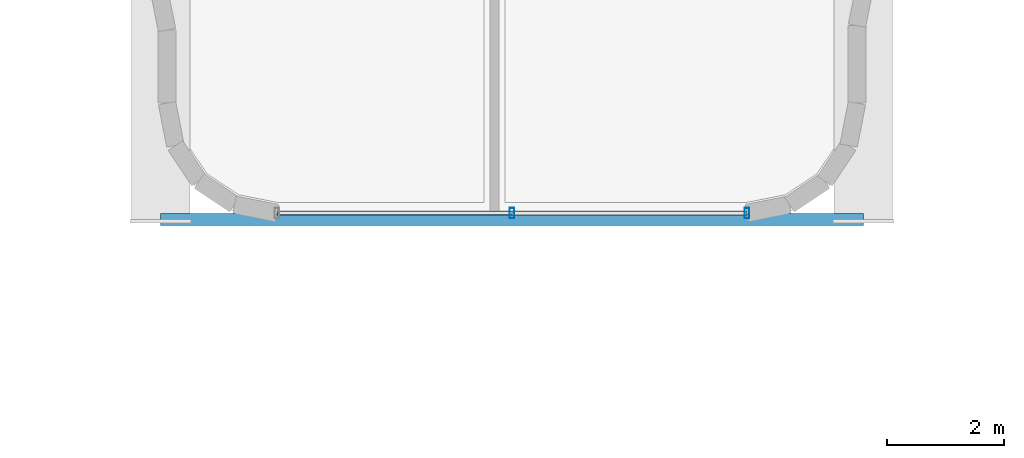
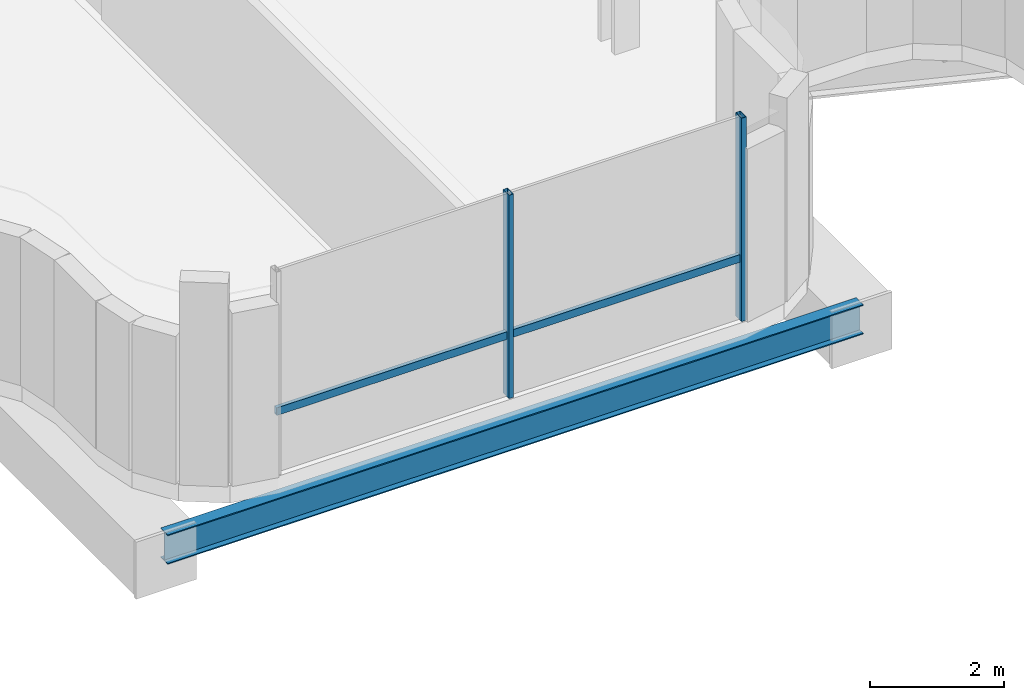
# One storey, part 11 of 35: 3 members, 1 beam, 1 element without a shape of its own.
"""IFC4 building model written with IfcOpenShell, lengths in metres."""

from ifc_helpers import new_model, si_unit, direction, frame, origin, origin_2d, place, context, subcontext, project, spatial, hollow_rectangle, i_section, extrude, source, transform, mapped, material, material_profile, profile_set, type_object, element, aggregate, save


model = new_model("IFC4")

# Units and contexts
model_context = context("Model", 3, precision=1e-05, world=origin(), true_north=direction((0.0, 1.0)))
body_context = subcontext(model_context, "Body", "Model", "MODEL_VIEW")
ifc_project = project(units=[si_unit("LENGTHUNIT", "METRE"), si_unit("AREAUNIT", "SQUARE_METRE"), si_unit("VOLUMEUNIT", "CUBIC_METRE"), si_unit("PLANEANGLEUNIT", "RADIAN"), si_unit("MASSUNIT", "GRAM", prefix="KILO")], contexts=[model_context])

# Site, building, storey
site_placement = place(None, origin())
site = spatial("IfcSite", under=ifc_project, at=site_placement, CompositionType="ELEMENT")
building_placement = place(site_placement, origin())
building = spatial("IfcBuilding", under=site, at=building_placement, Name="Valdorenza Pilgrim Sanctuary Tower", CompositionType="ELEMENT")
storey_placement = place(building_placement, frame((0.0, 0.0, 192.35009765625)))
storey = spatial("IfcBuildingStorey", under=building, at=storey_placement, Name="L49", CompositionType="ELEMENT", Elevation=192.35009765625)

# Beam
ifc_material_1 = material(Name="Steel ASTM A992 Grade 50", Category="steel")
ifc_material_profile_1 = material_profile(ifc_material_1, i_section(OverallWidth=0.2109375, OverallDepth=0.5390625, WebThickness=0.01171875, FlangeThickness=0.018798828125, at=origin_2d()), Name="W21X73")
ifc_profile_set_1 = profile_set([ifc_material_profile_1], Name="Steel ASTM A992 Grade 50")
beam_type = type_object("IfcBeamType", Name="STR-BM-SPN-W21B", PredefinedType="SPANDREL", material=ifc_profile_set_1)
shared_shape_1 = source(origin(), body_context, "Body", "SweptSolid", [
    extrude(i_section(OverallWidth=0.2109375, OverallDepth=0.5390625, WebThickness=0.01171875, FlangeThickness=0.018798828125, at=origin_2d()), origin(), (0.0, 0.0, 1.0), 12.0),
])
beam_placement = place(storey_placement, frame((-3.5, -7.199951171875, -0.589599609375), z_axis=(1.0, 0.0, 0.0), x_axis=(0.0, 1.0, 0.0)))
element("IfcBeam", 1, at=beam_placement, inside=storey, type_object=beam_type, Name="L49 South Prow Tip Spandrel PROW-TIP-S", PredefinedType="SPANDREL", context=body_context, shape_type="MappedRepresentation", body=[
    mapped(shared_shape_1, transform((0.0, 0.0, 0.0), x_axis=(1.0, 0.0, 0.0), y_axis=(0.0, 1.0, 0.0), z_axis=(0.0, 0.0, 1.0), scale=1.0)),
])

# Curtain wall, members
ifc_material_2 = material(Name="Curtain-wall IGU glazing", Category="glass")
curtain_wall_type = type_object("IfcCurtainWallType", Name="CW-SYS-05", PredefinedType="NOTDEFINED", material=ifc_material_2)
curtain_wall_placement = place(storey_placement, origin())
curtain_wall = element("IfcCurtainWall", 2, at=curtain_wall_placement, inside=storey, type_object=curtain_wall_type, Name="L49 Curtain Wall CW-L49-1-62", PredefinedType="NOTDEFINED")
ifc_material_3 = material(Name="Anodised aluminium AW-6060", Category="aluminium")
ifc_material_profile_2 = material_profile(ifc_material_3, hollow_rectangle(XDim=0.070068359375, YDim=0.139892578125, WallThickness=0.00341796875, at=origin_2d()), Name="ALU-T 140x70x3.5")
ifc_profile_set_2 = profile_set([ifc_material_profile_2], Name="Anodised aluminium AW-6060")
member_type_1 = type_object("IfcMemberType", Name="CW-TRN-05", PredefinedType="USERDEFINED", material=ifc_profile_set_2)
shared_shape_2 = source(origin(), body_context, "Body", "SweptSolid", [
    extrude(hollow_rectangle(XDim=0.070068359375, YDim=0.139892578125, WallThickness=0.00341796875, at=origin_2d()), origin(), (0.0, 0.0, 1.0), 8.0263671875),
])
member_1_placement = place(storey_placement, frame((6.51318359375, -7.090087890625, 1.119873046875), z_axis=(-1.0, 0.0, 0.0), x_axis=(0.0, -1.0, 0.0)))
member_1 = element("IfcMember", 3, at=member_1_placement, type_object=member_type_1, Name="CW-L49-1-62 Transom 1", ObjectType="TRANSOM", PredefinedType="USERDEFINED", context=body_context, shape_type="MappedRepresentation", body=[
    mapped(shared_shape_2, transform((0.0, 0.0, 0.0), x_axis=(1.0, 0.0, 0.0), y_axis=(0.0, 1.0, 0.0), z_axis=(0.0, 0.0, 1.0), scale=1.0)),
])
ifc_material_profile_3 = material_profile(ifc_material_3, hollow_rectangle(XDim=0.080078125, YDim=0.179931640625, WallThickness=0.00439453125, at=origin_2d()), Name="ALU-M 180x80x4.5")
ifc_profile_set_3 = profile_set([ifc_material_profile_3], Name="Anodised aluminium AW-6060")
member_type_2 = type_object("IfcMemberType", Name="CW-MUL-05", PredefinedType="MULLION", material=ifc_profile_set_3)
shared_shape_3 = source(origin(), body_context, "Body", "SweptSolid", [
    extrude(hollow_rectangle(XDim=0.080078125, YDim=0.179931640625, WallThickness=0.00439453125, at=origin_2d()), origin(), (0.0, 0.0, 1.0), 3.7099609375),
])
member_2_placement = place(storey_placement, frame((6.51318359375, -7.090087890625, 0.0), z_axis=(0.0, 0.0, 1.0), x_axis=(-1.0, 0.0, 0.0)))
member_2 = element("IfcMember", 4, at=member_2_placement, type_object=member_type_2, Name="CW-L49-1-62 Mullion 1", PredefinedType="MULLION", context=body_context, shape_type="MappedRepresentation", body=[
    mapped(shared_shape_3, transform((0.0, 0.0, 0.0), x_axis=(1.0, 0.0, 0.0), y_axis=(0.0, 1.0, 0.0), z_axis=(0.0, 0.0, 1.0), scale=1.0)),
])
member_3_placement = place(storey_placement, frame((2.5, -7.090087890625, 0.0), z_axis=(0.0, 0.0, 1.0), x_axis=(-1.0, 0.0, 0.0)))
member_3 = element("IfcMember", 5, at=member_3_placement, type_object=member_type_2, Name="CW-L49-1-62 Mullion 2", PredefinedType="MULLION", context=body_context, shape_type="MappedRepresentation", body=[
    mapped(shared_shape_3, transform((0.0, 0.0, 0.0), x_axis=(1.0, 0.0, 0.0), y_axis=(0.0, 1.0, 0.0), z_axis=(0.0, 0.0, 1.0), scale=1.0)),
])
aggregate(curtain_wall, [member_2, member_3, member_1])

save(model, "model.ifc")
